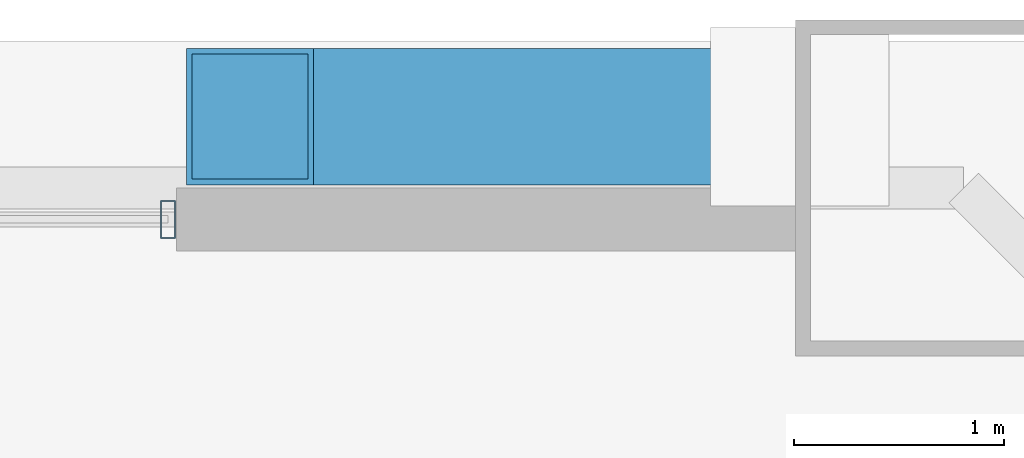
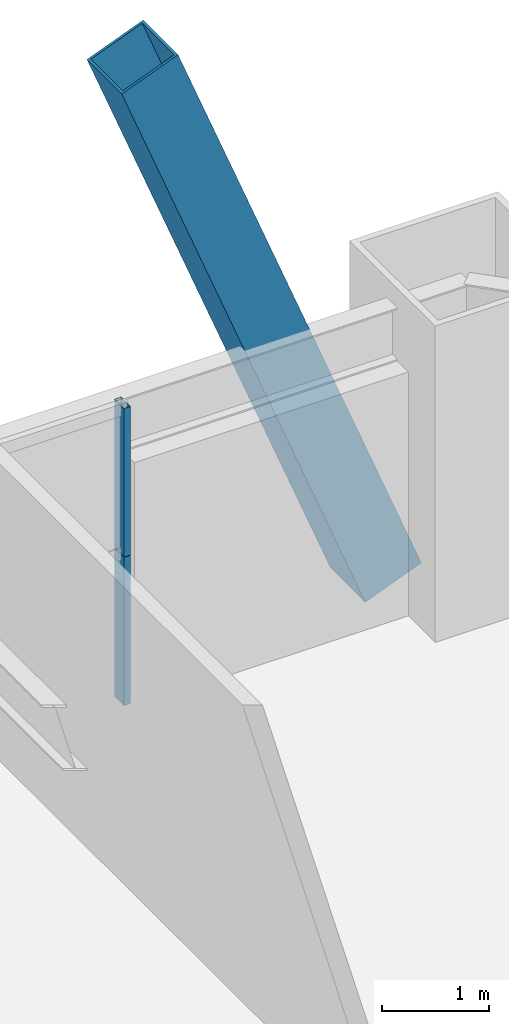
# One storey, part 35 of 41: 3 members, 1 element without a shape of its own.
"""IFC4 building model written with IfcOpenShell, lengths in metres."""

import ifcopenshell
import ifcopenshell.guid

model = None  # the IFC model being written
_history = None  # IfcOwnerHistory: only IFC2X3 demands one
_inside = {}  # id of a spatial element -> (the spatial element, [elements in it])
_under = {}  # id of a project, library or spatial element -> (it, [spatial elements below it])
_declared = {}  # id of a project -> (the project, [libraries it declares])
_typed = {}  # id of a type object -> (the type object, [elements of that type])
_made_of = {}  # id of a material, layer set ... -> (it, [elements and type objects made of it])


def new_model(schema):
    """Start an empty IFC model of exactly this schema.

    Asked for "IFC4X3", IfcOpenShell would pick the latest addendum, in which some entities
    have other attributes; the version numbers below select the first issue.
    IFC2X3 requires an IfcOwnerHistory on every rooted entity: one is made here for all.
    """
    global model, _history
    if schema == "IFC4X3":
        model = ifcopenshell.file(schema_version=(4, 3, 0, 0))
    else:
        model = ifcopenshell.file(schema=schema)
    _inside.clear()
    _under.clear()
    _declared.clear()
    _typed.clear()
    _made_of.clear()
    _history = None
    if model.schema == "IFC2X3":
        org = make("IfcOrganization", Name="unknown")
        user = make(
            "IfcPersonAndOrganization",
            ThePerson=make("IfcPerson", FamilyName="unknown"),
            TheOrganization=org,
        )
        app = make(
            "IfcApplication",
            ApplicationDeveloper=org,
            Version="unknown",
            ApplicationFullName="unknown",
            ApplicationIdentifier="unknown",
        )
        _history = make(
            "IfcOwnerHistory",
            OwningUser=user,
            OwningApplication=app,
            ChangeAction="ADDED",
            CreationDate=0,
        )
    return model


def make(cls, **values):
    """One entity of the class cls with the attributes given. An attribute that is None is left unset."""
    return model.create_entity(
        cls, **{name: value for name, value in values.items() if value is not None}
    )


def rooted(cls, **values):
    """An entity with a GlobalId (a new one), such as an element, a storey or a relation."""
    return make(cls, GlobalId=ifcopenshell.guid.new(), OwnerHistory=_history, **values)


def si_unit(unit_type, name, prefix=None):
    """IfcSIUnit, for example si_unit("LENGTHUNIT", "METRE", prefix="MILLI")."""
    return make("IfcSIUnit", UnitType=unit_type, Prefix=prefix, Name=name)


def assignment(units):
    """IfcUnitAssignment: the units of a project."""
    return None if units is None else make("IfcUnitAssignment", Units=units)


def point(xyz):
    """IfcCartesianPoint."""
    return None if xyz is None else make("IfcCartesianPoint", Coordinates=xyz)


def direction(xyz):
    """IfcDirection."""
    return None if xyz is None else make("IfcDirection", DirectionRatios=xyz)


def frame(location, z_axis=None, x_axis=None):
    """IfcAxis2Placement3D, a coordinate frame: its origin and axes. An axis left out is left unset."""
    return make(
        "IfcAxis2Placement3D",
        Location=point(location),
        Axis=direction(z_axis),
        RefDirection=direction(x_axis),
    )


def frame_2d(location, x_axis=None):
    """IfcAxis2Placement2D, a coordinate frame in the plane: its origin and x axis."""
    return make(
        "IfcAxis2Placement2D", Location=point(location), RefDirection=direction(x_axis)
    )


def origin():
    """The frame at (0, 0, 0) with its axes left unset."""
    return frame((0.0, 0.0, 0.0))


def origin_2d():
    """The frame at (0, 0) in the plane with its x axis left unset."""
    return frame_2d((0.0, 0.0))


def place(relative_to, where):
    """IfcLocalPlacement: puts the frame where relative to a parent placement (None: the world)."""
    return make(
        "IfcLocalPlacement", PlacementRelTo=relative_to, RelativePlacement=where
    )


def context(
    kind, dimensions, precision=None, world=None, true_north=None, identifier=None
):
    """IfcGeometricRepresentationContext, for example the 3D "Model" context."""
    return make(
        "IfcGeometricRepresentationContext",
        ContextIdentifier=identifier,
        ContextType=kind,
        CoordinateSpaceDimension=dimensions,
        Precision=precision,
        WorldCoordinateSystem=world,
        TrueNorth=true_north,
    )


def subcontext(parent, identifier, kind, view, scale=None):
    """IfcGeometricRepresentationSubContext, for example "Body" below "Model"."""
    return make(
        "IfcGeometricRepresentationSubContext",
        ContextIdentifier=identifier,
        ContextType=kind,
        ParentContext=parent,
        TargetScale=scale,
        TargetView=view,
    )


def project(units=None, contexts=None):
    """IfcProject with its units and contexts."""
    return rooted(
        "IfcProject",
        Name="project",
        RepresentationContexts=contexts,
        UnitsInContext=assignment(units),
    )


def spatial(cls, under=None, at=None, **own):
    """A site, building, storey or space (cls), placed at a placement, below another one or the project."""
    s = rooted(cls, ObjectPlacement=at, **own)
    if under is not None:
        _under.setdefault(under.id(), (under, []))[1].append(s)
    return s


def profile(cls, at=None, kind="AREA", **sizes):
    """A parametric profile (cls). Its sizes go by their IFC names, for example OverallWidth=200.0."""
    return make(cls, ProfileType=kind, Position=at, **sizes)


def hollow_rectangle(**sizes):
    """IfcRectangleHollowProfileDef."""
    return profile("IfcRectangleHollowProfileDef", **sizes)


def extrude(swept, where, along, depth):
    """IfcExtrudedAreaSolid: the profile swept, set in the frame where, extruded along a direction by depth."""
    return make(
        "IfcExtrudedAreaSolid",
        SweptArea=swept,
        Position=where,
        ExtrudedDirection=direction(along),
        Depth=depth,
    )


def shape(context_of_items, identifier, shape_type, items):
    """IfcShapeRepresentation: the items that make up one representation, for example the "Body"."""
    return make(
        "IfcShapeRepresentation",
        ContextOfItems=context_of_items,
        RepresentationIdentifier=identifier,
        RepresentationType=shape_type,
        Items=items,
    )


def source(mapping_origin, context_of_items, identifier, shape_type, items):
    """IfcRepresentationMap: a shape defined once, which mapped items show again and again."""
    return make(
        "IfcRepresentationMap",
        MappingOrigin=mapping_origin,
        MappedRepresentation=shape(context_of_items, identifier, shape_type, items),
    )


def transform(
    local_origin,
    x_axis=None,
    y_axis=None,
    z_axis=None,
    scale=None,
    scale2=None,
    scale3=None,
    uniform=True,
):
    """IfcCartesianTransformationOperator3D, or its non-uniform kind. x_axis, y_axis, z_axis: its Axis1, 2, 3."""
    if uniform:
        return make(
            "IfcCartesianTransformationOperator3D",
            Axis1=direction(x_axis),
            Axis2=direction(y_axis),
            LocalOrigin=point(local_origin),
            Scale=scale,
            Axis3=direction(z_axis),
        )
    return make(
        "IfcCartesianTransformationOperator3DnonUniform",
        Axis1=direction(x_axis),
        Axis2=direction(y_axis),
        LocalOrigin=point(local_origin),
        Scale=scale,
        Axis3=direction(z_axis),
        Scale2=scale2,
        Scale3=scale3,
    )


def mapped(mapping_source, mapping_target):
    """IfcMappedItem: shows the shape of a source again, moved by a transform."""
    return make(
        "IfcMappedItem", MappingSource=mapping_source, MappingTarget=mapping_target
    )


def material(Name=None, Category=None):
    """IfcMaterial."""
    return make("IfcMaterial", Name=Name, Category=Category)


def layer(
    of_material, thickness, ventilated=None, Name=None, Category=None, Priority=None
):
    """IfcMaterialLayer: one layer of a wall or slab, of a material (None: an air gap)."""
    return make(
        "IfcMaterialLayer",
        Material=of_material,
        LayerThickness=thickness,
        IsVentilated=ventilated,
        Name=Name,
        Category=Category,
        Priority=Priority,
    )


def layer_set(layers, Name=None):
    """IfcMaterialLayerSet."""
    return make("IfcMaterialLayerSet", MaterialLayers=layers, LayerSetName=Name)


def material_profile(
    of_material, cross_section, Name=None, Category=None, Priority=None
):
    """IfcMaterialProfile: a cross section and its material."""
    return make(
        "IfcMaterialProfile",
        Name=Name,
        Material=of_material,
        Profile=cross_section,
        Priority=Priority,
        Category=Category,
    )


def profile_set(profiles, Name=None, composite=None):
    """IfcMaterialProfileSet."""
    return make(
        "IfcMaterialProfileSet",
        Name=Name,
        MaterialProfiles=profiles,
        CompositeProfile=composite,
    )


def made_of(thing, what):
    """Note that an element or type object is made of a material, layer set ...; save() writes the relation."""
    if what is not None:
        _made_of.setdefault(what.id(), (what, []))[1].append(thing)
    return thing


def type_object(cls, material=None, **own):
    """A type object (cls), such as IfcWallType, which elements share."""
    return made_of(rooted(cls, **own), material)


def element(
    cls,
    number,
    at=None,
    inside=None,
    cuts=None,
    type_object=None,
    material=None,
    context=None,
    identifier="Body",
    shape_type=None,
    held_by="IfcProductDefinitionShape",
    body=None,
    shapes=None,
    **own,
):
    """One element of the class cls, such as IfcWall. Its Tag is "e" and its number.

    at: its placement. inside: the storey or other place that contains it. cuts: it is an
    opening in that element (IfcRelVoidsElement). A single representation is given by context,
    identifier, shape_type and body (its items); several are given by shapes. held_by: the class
    of the entity that holds the representations. save() writes the other relations.
    """
    e = rooted(cls, Tag="e%d" % number, ObjectPlacement=at, **own)
    if body is not None:
        shapes = [shape(context, identifier, shape_type, body)]
    if shapes is not None:
        e.Representation = make(held_by, Representations=shapes)
    if inside is not None:
        _inside.setdefault(inside.id(), (inside, []))[1].append(e)
    if cuts is not None:
        rooted(
            "IfcRelVoidsElement", RelatingBuildingElement=cuts, RelatedOpeningElement=e
        )
    if type_object is not None:
        _typed.setdefault(type_object.id(), (type_object, []))[1].append(e)
    return made_of(e, material)


def aggregate(whole, parts):
    """IfcRelAggregates: a whole, such as a stair, and the parts it consists of."""
    return rooted("IfcRelAggregates", RelatingObject=whole, RelatedObjects=parts)


def save(model, path):
    """Write the relations noted so far, then the file.

    IfcRelAggregates (storeys below a building ...), IfcRelContainedInSpatialStructure (elements
    in a storey), IfcRelDefinesByType, IfcRelAssociatesMaterial and IfcRelDeclares: one each for
    every whole, place, type object, material and project.
    """
    for whole, parts in _under.values():
        aggregate(whole, parts)
    for where, things in _inside.values():
        rooted(
            "IfcRelContainedInSpatialStructure",
            RelatedElements=things,
            RelatingStructure=where,
        )
    for kind, things in _typed.values():
        rooted("IfcRelDefinesByType", RelatedObjects=things, RelatingType=kind)
    for what, things in _made_of.values():
        rooted("IfcRelAssociatesMaterial", RelatedObjects=things, RelatingMaterial=what)
    for by, libraries in _declared.values():
        rooted("IfcRelDeclares", RelatingContext=by, RelatedDefinitions=libraries)
    model.write(path)


model = new_model("IFC4")

# Units and contexts
model_context = context("Model", 3, precision=1e-05, world=origin(), true_north=direction((0.0, 1.0)))
body_context = subcontext(model_context, "Body", "Model", "MODEL_VIEW")
ifc_project = project(units=[si_unit("LENGTHUNIT", "METRE"), si_unit("AREAUNIT", "SQUARE_METRE"), si_unit("VOLUMEUNIT", "CUBIC_METRE"), si_unit("PLANEANGLEUNIT", "RADIAN"), si_unit("MASSUNIT", "GRAM", prefix="KILO"), si_unit("THERMODYNAMICTEMPERATUREUNIT", "KELVIN"), si_unit("POWERUNIT", "WATT")], contexts=[model_context])

# Site, building, storey
site_placement = place(None, origin())
site = spatial("IfcSite", under=ifc_project, at=site_placement, CompositionType="ELEMENT")
building_placement = place(site_placement, origin())
building = spatial("IfcBuilding", under=site, at=building_placement, Name="Yuzanri Waterfront Tower", CompositionType="ELEMENT")
storey_placement = place(building_placement, frame((0.0, 0.0, 152.39990234375)))
storey = spatial("IfcBuildingStorey", under=building, at=storey_placement, Name="L40", CompositionType="ELEMENT", Elevation=152.39990234375)

# Member
ifc_material_1 = material(Name="Steel Q420GJC", Category="steel")
ifc_material_profile_1 = material_profile(ifc_material_1, hollow_rectangle(XDim=0.64990234375, YDim=0.64990234375, WallThickness=0.028076171875, at=origin_2d()), Name="RHS 650x650x28")
ifc_profile_set_1 = profile_set([ifc_material_profile_1], Name="Steel Q420GJC")
member_type_1 = type_object("IfcMemberType", Name="Mega Brace Lower Q420GJC RHS 650x650x28", PredefinedType="BRACE", material=ifc_profile_set_1)
shared_shape_1 = source(origin(), body_context, "Body", "SweptSolid", [
    extrude(hollow_rectangle(XDim=0.64990234375, YDim=0.64990234375, WallThickness=0.028076171875, at=origin_2d()), origin(), (0.0, 0.0, 1.0), 7.19384765625),
])
member_1_placement = place(storey_placement, frame((56.219970703125, 49.739990234375, 0.18017578125), z_axis=(-0.36417668996, 0.0, 0.9313298763), x_axis=(0.0, -1.0, 0.0)))
element("IfcMember", 1, at=member_1_placement, inside=storey, type_object=member_type_1, Name="L40-L41 Perimeter Mega-Brace N-R", PredefinedType="BRACE", context=body_context, shape_type="MappedRepresentation", body=[
    mapped(shared_shape_1, transform((0.0, 0.0, 0.0), scale=1.0)),
])

# Curtain wall, members
ifc_material_2 = material(Name="Anodized Architectural Bronze", Category="metal")
ifc_layer = layer(ifc_material_2, 0.159912109375)
ifc_layer_set = layer_set([ifc_layer], Name="Anodized Architectural Bronze")
curtain_wall_type = type_object("IfcCurtainWallType", Name="Anodized Bronze Hotel Upper-Tier Solar-Control Unitized Curtain Wall 7800", PredefinedType="NOTDEFINED", material=ifc_layer_set)
curtain_wall_placement = place(storey_placement, origin())
curtain_wall = element("IfcCurtainWall", 2, at=curtain_wall_placement, inside=storey, type_object=curtain_wall_type, Name="L40 Curtain Wall CW-L40-NR", PredefinedType="NOTDEFINED")
ifc_material_3 = material(Name="Anodized Architectural Bronze", Category="metal")
ifc_material_profile_2 = material_profile(ifc_material_3, hollow_rectangle(XDim=0.070068359375, YDim=0.179931640625, WallThickness=0.00390625, at=origin_2d()), Name="CWM 70x180")
ifc_profile_set_2 = profile_set([ifc_material_profile_2], Name="Anodized Architectural Bronze")
member_type_2 = type_object("IfcMemberType", Name="Anodized Bronze Standard Curtain-Wall Mullion 70x180", PredefinedType="MULLION", material=ifc_profile_set_2)
shared_shape_2 = source(origin(), body_context, "Body", "SweptSolid", [
    extrude(hollow_rectangle(XDim=0.070068359375, YDim=0.179931640625, WallThickness=0.00390625, at=origin_2d()), origin(), (0.0, 0.0, 1.0), 1.68798828125),
])
member_2_placement = place(storey_placement, frame((53.2099609375, 49.25, 0.0), z_axis=(0.0, 0.0, 1.0), x_axis=(1.0, 0.0, 0.0)))
member_2 = element("IfcMember", 3, at=member_2_placement, type_object=member_type_2, Name="CW-L40-NR Lower Mullion 02", PredefinedType="MULLION", context=body_context, shape_type="MappedRepresentation", body=[
    mapped(shared_shape_2, transform((0.0, 0.0, 0.0), scale=1.0)),
])
member_3_placement = place(storey_placement, frame((53.2099609375, 49.25, 1.692138671875), z_axis=(0.0, 0.0, 1.0), x_axis=(1.0, 0.0, 0.0)))
member_3 = element("IfcMember", 4, at=member_3_placement, type_object=member_type_2, Name="CW-L40-NR Upper Mullion 02", PredefinedType="MULLION", context=body_context, shape_type="MappedRepresentation", body=[
    mapped(shared_shape_2, transform((0.0, 0.0, 0.0), scale=1.0)),
])
aggregate(curtain_wall, [member_2, member_3])

save(model, "model.ifc")
